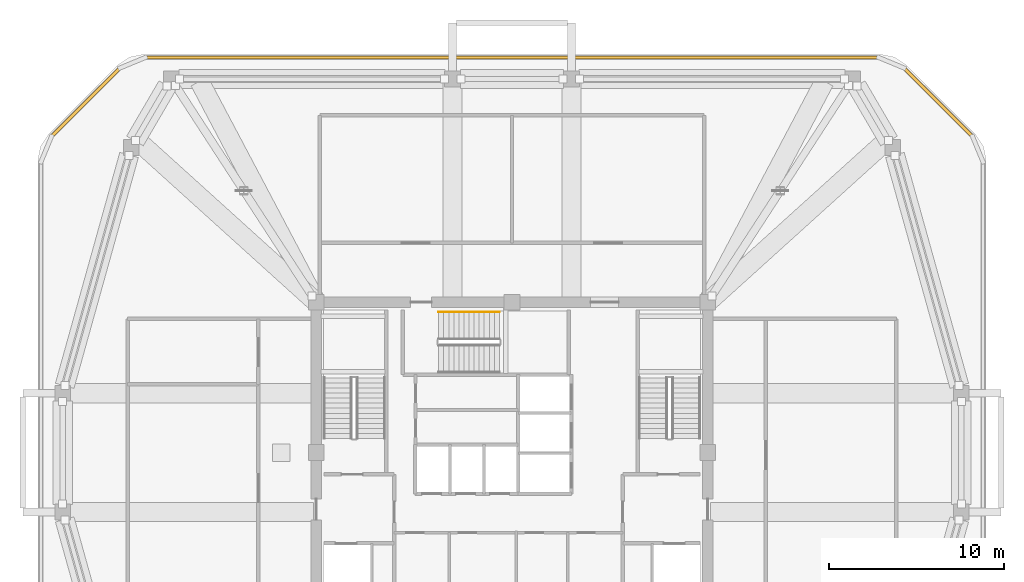
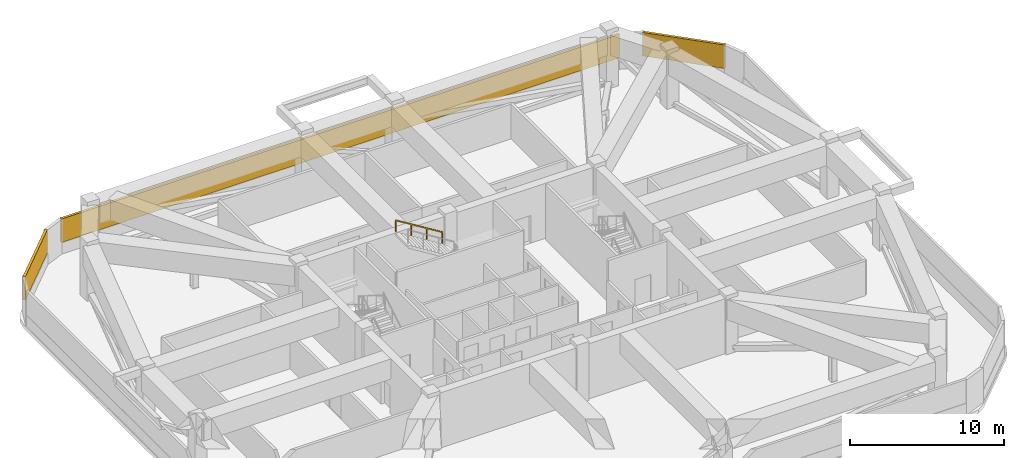
# One storey, part 9 of 9: 3 shading devices, 1 railing.
"""IFC4 building model written with IfcOpenShell, lengths in metres."""

from ifc_helpers import new_model, si_unit, derived_unit, direction, frame, origin, origin_2d, place, context, subcontext, project, spatial, rectangle, extrude, material, layer, layer_set, type_object, element, save


model = new_model("IFC4")

# Units and contexts
model_context = context("Model", 3, precision=1e-05, world=origin(), true_north=direction((0.0, 1.0)))
body_context = subcontext(model_context, "Body", "Model", "MODEL_VIEW")
ifc_project = project(units=[si_unit("LENGTHUNIT", "METRE"), si_unit("AREAUNIT", "SQUARE_METRE"), si_unit("VOLUMEUNIT", "CUBIC_METRE"), si_unit("PLANEANGLEUNIT", "RADIAN"), si_unit("MASSUNIT", "GRAM", prefix="KILO"), derived_unit("THERMALTRANSMITTANCEUNIT", [(si_unit("POWERUNIT", "WATT"), 1), (si_unit("LENGTHUNIT", "METRE"), -2), (si_unit("THERMODYNAMICTEMPERATUREUNIT", "KELVIN"), -1)])], contexts=[model_context])

# Site, building, storey
site_placement = place(None, origin())
site = spatial("IfcSite", under=ifc_project, at=site_placement, CompositionType="ELEMENT")
building_placement = place(site_placement, origin())
building = spatial("IfcBuilding", under=site, at=building_placement, Name="Koralith Skygarden Medical Center", CompositionType="ELEMENT")
storey_placement = place(building_placement, frame((0.0, 0.0, 232.3798828125)))
storey = spatial("IfcBuildingStorey", under=building, at=storey_placement, Name="L60", CompositionType="ELEMENT", Elevation=232.3798828125)

# Shading devices
ifc_material_1 = material(Name="Aluminium 6063-T6", Category="aluminium")
ifc_layer = layer(ifc_material_1, 0.179931640625)
ifc_layer_set = layer_set([ifc_layer], Name="Aluminium 6063-T6")
shading_device_type = type_object("IfcShadingDeviceType", Name="Mechanical Plant Acoustic Hurricane Louvre", PredefinedType="JALOUSIE", material=ifc_layer_set)
shading_device_1_placement = place(storey_placement, frame((61.39990234375, 45.95703125, 0.900146484375), z_axis=(0.0, 0.0, 1.0), x_axis=(-0.707106781187, 0.707106781187, 0.0)))
element("IfcShadingDevice", 1, at=shading_device_1_placement, inside=storey, type_object=shading_device_type, Name="L60 Plant Acoustic Hurricane Louvre NE", PredefinedType="JALOUSIE", context=body_context, shape_type="SweptSolid", body=[
    extrude(rectangle(XDim=5.548095703125, YDim=0.179931640625, at=origin_2d()), origin(), (0.0, 0.0, 1.0), 1.8701171875),
])
shading_device_2_placement = place(storey_placement, frame((37.0, 48.52001953125, 0.900146484375), z_axis=(0.0, 0.0, 1.0), x_axis=(-1.0, 0.0, 0.0)))
element("IfcShadingDevice", 2, at=shading_device_2_placement, inside=storey, type_object=shading_device_type, Name="L60 Plant Acoustic Hurricane Louvre N", PredefinedType="JALOUSIE", context=body_context, shape_type="SweptSolid", body=[
    extrude(rectangle(XDim=41.972900390625, YDim=0.179931640625, at=origin_2d()), origin(), (0.0, 0.0, 1.0), 1.8701171875),
])
shading_device_3_placement = place(storey_placement, frame((12.60107421875, 45.95703125, 0.900146484375), z_axis=(0.0, 0.0, 1.0), x_axis=(-0.707106781187, -0.707106781187, 0.0)))
element("IfcShadingDevice", 3, at=shading_device_3_placement, inside=storey, type_object=shading_device_type, Name="L60 Plant Acoustic Hurricane Louvre NW", PredefinedType="JALOUSIE", context=body_context, shape_type="SweptSolid", body=[
    extrude(rectangle(XDim=5.548095703125, YDim=0.179931640625, at=origin_2d()), origin(), (0.0, 0.0, 1.0), 1.8701171875),
])

# Railing
ifc_material_2 = material(Name="Steel ASTM A500 Grade C", Category="steel")
railing_type = type_object("IfcRailingType", Name="Stair Flight Tubular Handrail 920", PredefinedType="HANDRAIL", material=ifc_material_2)
railing_placement = place(storey_placement, frame((36.280029296875, 33.949951171875, 2.52001953125)))
element("IfcRailing", 4, at=railing_placement, inside=storey, type_object=railing_type, Name="L60 ST3 stair handrail 2", PredefinedType="HANDRAIL", context=body_context, shape_type="SweptSolid", body=[
    extrude(rectangle(XDim=0.050048828125, YDim=0.050048828125, at=origin_2d()), frame((-0.001708984375, 0.0, 0.89599609375), z_axis=(-0.849621746706, 0.0, 0.527392536471), x_axis=(0.0, -1.0, 0.0)), (0.0, 0.0, 1.0), 4.091796875),
    extrude(rectangle(XDim=0.0419921875, YDim=0.0419921875, at=origin_2d()), origin(), (0.0, 0.0, 1.0), 0.867919921875),
    extrude(rectangle(XDim=0.0419921875, YDim=0.0419921875, at=origin_2d()), frame((-1.159912109375, 0.0, 0.719970703125)), (0.0, 0.0, 1.0), 0.867919921875),
    extrude(rectangle(XDim=0.0419921875, YDim=0.0419921875, at=origin_2d()), frame((-2.320068359375, 0.0, 1.440185546875)), (0.0, 0.0, 1.0), 0.867919921875),
    extrude(rectangle(XDim=0.0419921875, YDim=0.0419921875, at=origin_2d()), frame((-3.47998046875, 0.0, 2.16015625)), (0.0, 0.0, 1.0), 0.867919921875),
])

save(model, "model.ifc")
